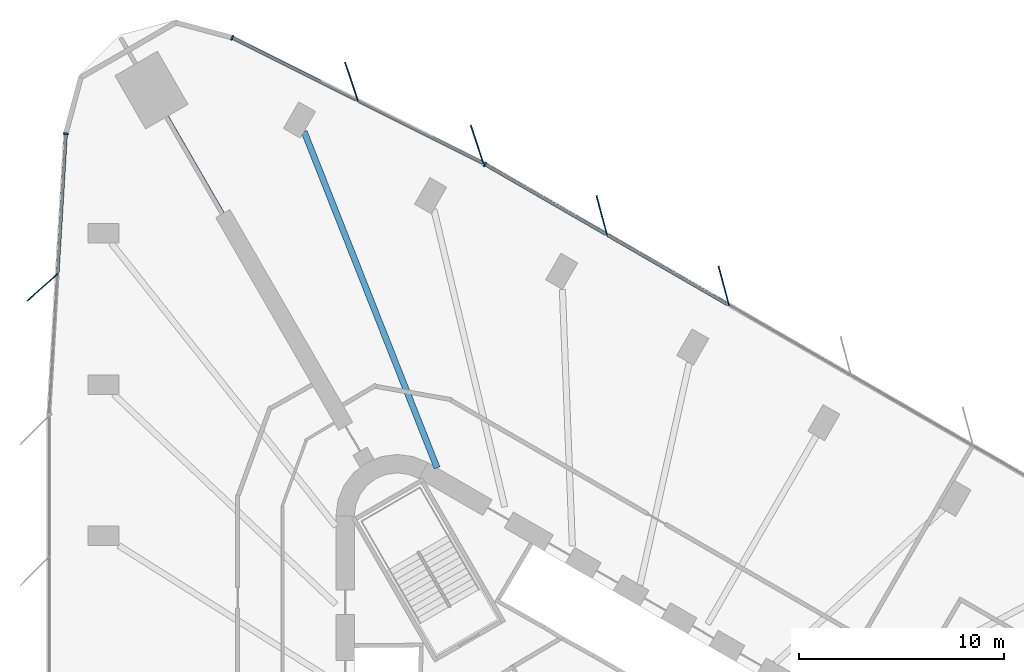
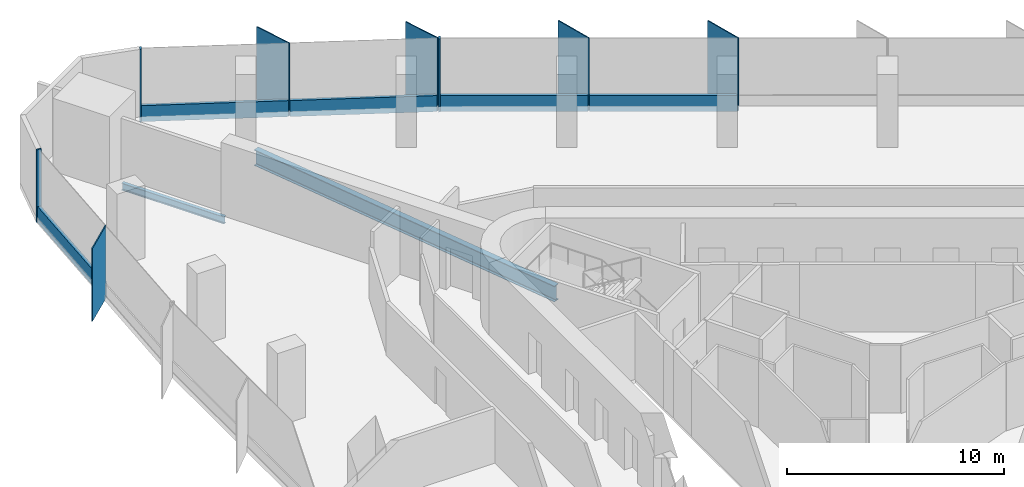
# One storey, part 7 of 14: 13 members, 2 beams, 3 elements without a shape of their own.
"""IFC4 building model written with IfcOpenShell, lengths in metres."""

from ifc_helpers import new_model, si_unit, direction, frame, origin, origin_2d, place, context, subcontext, project, spatial, rectangle, i_section, extrude, material, material_profile, profile_set, type_object, element, aggregate, save


model = new_model("IFC4")

# Units and contexts
model_context = context("Model", 3, precision=1e-05, world=origin(), true_north=direction((0.0, 1.0)))
body_context = subcontext(model_context, "Body", "Model", "MODEL_VIEW")
ifc_project = project(units=[si_unit("LENGTHUNIT", "METRE"), si_unit("AREAUNIT", "SQUARE_METRE"), si_unit("VOLUMEUNIT", "CUBIC_METRE"), si_unit("PLANEANGLEUNIT", "RADIAN"), si_unit("MASSUNIT", "GRAM", prefix="KILO")], contexts=[model_context])

# Site, building, storey
site_placement = place(None, origin())
site = spatial("IfcSite", under=ifc_project, at=site_placement, CompositionType="ELEMENT")
building_placement = place(site_placement, origin())
building = spatial("IfcBuilding", under=site, at=building_placement, Name="Tanit Gate Tower", CompositionType="ELEMENT")
storey_placement = place(building_placement, frame((0.0, 0.0, 53.699951171875)))
storey = spatial("IfcBuildingStorey", under=building, at=storey_placement, Name="L09", CompositionType="ELEMENT", Elevation=53.699951171875)

# Curtain wall, members
ifc_material_1 = material(Name="Aluminium bronze anodised and glass", Category="aluminium")
curtain_wall_type = type_object("IfcCurtainWallType", Name="Curtain wall typical low", PredefinedType="NOTDEFINED", material=ifc_material_1)
curtain_wall_1_placement = place(storey_placement, origin())
curtain_wall_1 = element("IfcCurtainWall", 1, at=curtain_wall_1_placement, inside=storey, type_object=curtain_wall_type, Name="Curtain wall L09 NE2", PredefinedType="NOTDEFINED")
ifc_material_2 = material(Name="Aluminium bronze anodised", Category="aluminium")
ifc_material_profile_1 = material_profile(ifc_material_2, rectangle(XDim=2.0, YDim=0.055908203125, at=origin_2d()), Name="56x2000 bronze fin mullion")
ifc_profile_set_1 = profile_set([ifc_material_profile_1], Name="Aluminium bronze anodised")
member_type_1 = type_object("IfcMemberType", Name="FIN MULLION 56x2000 bronze", PredefinedType="MULLION", material=ifc_profile_set_1)
member_1_placement = place(storey_placement, frame((6.841064453125, 26.9951171875, -0.300048828125), z_axis=(0.0, 0.0, 1.0), x_axis=(0.258886020591, -0.965907877772, 0.0)))
member_1 = element("IfcMember", 2, at=member_1_placement, type_object=member_type_1, Name="Fin mullion L09 NE2.5", PredefinedType="MULLION", context=body_context, shape_type="SweptSolid", body=[
    extrude(rectangle(XDim=2.0, YDim=0.055908203125, at=origin_2d()), origin(), (0.0, 0.0, 1.0), 4.10009765625),
])
member_2_placement = place(storey_placement, frame((0.881103515625, 30.435546875, -0.300048828125), z_axis=(0.0, 0.0, 1.0), x_axis=(0.258886020591, -0.965907877772, 0.0)))
member_2 = element("IfcMember", 3, at=member_2_placement, type_object=member_type_1, Name="Fin mullion L09 NE2.6", PredefinedType="MULLION", context=body_context, shape_type="SweptSolid", body=[
    extrude(rectangle(XDim=2.0, YDim=0.055908203125, at=origin_2d()), origin(), (0.0, 0.0, 1.0), 4.10009765625),
])

curtain_wall_2_placement = place(storey_placement, origin())
curtain_wall_2 = element("IfcCurtainWall", 4, at=curtain_wall_2_placement, inside=storey, type_object=curtain_wall_type, Name="Curtain wall L09 NE3", PredefinedType="NOTDEFINED")
member_3_placement = place(storey_placement, frame((-5.205078125, 33.897216796875, -0.300048828125), z_axis=(0.0, 0.0, 1.0), x_axis=(0.315932535729, -0.94878165711, 0.0)))
member_3 = element("IfcMember", 5, at=member_3_placement, type_object=member_type_1, Name="Fin mullion L09 NE3.1", PredefinedType="MULLION", context=body_context, shape_type="SweptSolid", body=[
    extrude(rectangle(XDim=2.0, YDim=0.055908203125, at=origin_2d()), origin(), (0.0, 0.0, 1.0), 4.10009765625),
])
member_4_placement = place(storey_placement, frame((-11.340576171875, 36.96728515625, -0.300048828125), z_axis=(0.0, 0.0, 1.0), x_axis=(0.315932535729, -0.94878165711, 0.0)))
member_4 = element("IfcMember", 6, at=member_4_placement, type_object=member_type_1, Name="Fin mullion L09 NE3.2", PredefinedType="MULLION", context=body_context, shape_type="SweptSolid", body=[
    extrude(rectangle(XDim=2.0, YDim=0.055908203125, at=origin_2d()), origin(), (0.0, 0.0, 1.0), 4.10009765625),
])

# Curtain wall, member
curtain_wall_3_placement = place(storey_placement, origin())
curtain_wall_3 = element("IfcCurtainWall", 7, at=curtain_wall_3_placement, inside=storey, type_object=curtain_wall_type, Name="Curtain wall L09 W1", PredefinedType="NOTDEFINED")
member_5_placement = place(storey_placement, frame((-26.42822265625, 26.925048828125, -0.300048828125), z_axis=(0.0, 0.0, 1.0), x_axis=(0.748133983092, 0.663547694852, 0.0)))
member_5 = element("IfcMember", 8, at=member_5_placement, type_object=member_type_1, Name="Fin mullion L09 W1.2", PredefinedType="MULLION", context=body_context, shape_type="SweptSolid", body=[
    extrude(rectangle(XDim=2.0, YDim=0.055908203125, at=origin_2d()), origin(), (0.0, 0.0, 1.0), 4.10009765625),
])

# Member
ifc_material_3 = material(Name="Aluminium bronze anodised", Category="aluminium")
ifc_material_profile_2 = material_profile(ifc_material_3, rectangle(XDim=0.239990234375, YDim=0.080078125, at=origin_2d()), Name="80x240 bronze mullion")
ifc_profile_set_2 = profile_set([ifc_material_profile_2], Name="Aluminium bronze anodised")
member_type_2 = type_object("IfcMemberType", Name="Mullion 80x240 typical low", PredefinedType="MULLION", material=ifc_profile_set_2)
member_6_placement = place(storey_placement, frame((-4.825927734375, 32.931884765625, -0.300048828125), z_axis=(0.0, 0.0, 1.0), x_axis=(-0.49993994966, -0.866060071089, 0.0)))
member_6 = element("IfcMember", 9, at=member_6_placement, type_object=member_type_2, Name="Mullion L09 NE2.7", PredefinedType="MULLION", context=body_context, shape_type="SweptSolid", body=[
    extrude(rectangle(XDim=0.239990234375, YDim=0.080078125, at=origin_2d()), origin(), (0.0, 0.0, 1.0), 4.10009765625),
])

member_7_placement = place(storey_placement, frame((-17.167236328125, 39.110107421875, -0.300048828125), z_axis=(0.0, 0.0, 1.0), x_axis=(-0.447491905196, -0.894287982019, 0.0)))
member_7 = element("IfcMember", 10, at=member_7_placement, type_object=member_type_2, Name="Mullion L09 NE3.3", PredefinedType="MULLION", context=body_context, shape_type="SweptSolid", body=[
    extrude(rectangle(XDim=0.239990234375, YDim=0.080078125, at=origin_2d()), origin(), (0.0, 0.0, 1.0), 4.10009765625),
])

member_8_placement = place(storey_placement, frame((-25.286865234375, 34.422119140625, -0.300048828125), z_axis=(0.0, 0.0, 1.0), x_axis=(0.998209687351, -0.059811538009, 0.0)))
member_8 = element("IfcMember", 11, at=member_8_placement, type_object=member_type_2, Name="Mullion L09 W1.1", PredefinedType="MULLION", context=body_context, shape_type="SweptSolid", body=[
    extrude(rectangle(XDim=0.239990234375, YDim=0.080078125, at=origin_2d()), origin(), (0.0, 0.0, 1.0), 4.10009765625),
])

# Beams
ifc_material_4 = material(Name="Steel S355", Category="steel")
ifc_material_profile_3 = material_profile(ifc_material_4, i_section(OverallWidth=0.300048828125, OverallDepth=0.889892578125, WebThickness=0.01611328125, FlangeThickness=0.030029296875, FilletRadius=0.030029296875, at=origin_2d()), Name="HEA 900")
ifc_profile_set_3 = profile_set([ifc_material_profile_3], Name="Steel S355")
beam_type_1 = type_object("IfcBeamType", Name="RADIAL GIRDER HEA 900 S355", PredefinedType="BEAM", material=ifc_profile_set_3)
beam_1_placement = place(storey_placement, frame((-13.655029296875, 34.5302734375, -0.744873046875), z_axis=(0.36773841244, -0.929929276889, 0.0), x_axis=(0.929929276889, 0.36773841244, 0.0)))
element("IfcBeam", 12, at=beam_1_placement, inside=storey, type_object=beam_type_1, Name="RADIAL GIRDER", PredefinedType="BEAM", context=body_context, shape_type="SweptSolid", body=[
    extrude(i_section(OverallWidth=0.300048828125, OverallDepth=0.889892578125, WebThickness=0.01611328125, FlangeThickness=0.030029296875, FilletRadius=0.030029296875, at=origin_2d()), origin(), (0.0, 0.0, 1.0), 17.658935546875),
])
ifc_material_5 = material(Name="Steel S355", Category="steel")
ifc_material_profile_4 = material_profile(ifc_material_5, i_section(OverallWidth=0.179931640625, OverallDepth=0.39990234375, WebThickness=0.008544921875, FlangeThickness=0.013427734375, FilletRadius=0.02099609375, at=origin_2d()), Name="IPE 400")
ifc_profile_set_4 = profile_set([ifc_material_profile_4], Name="Steel S355")
beam_type_2 = type_object("IfcBeamType", Name="RADIAL GIRDER IPE 400 S355", PredefinedType="BEAM", material=ifc_profile_set_4)
beam_2_placement = place(storey_placement, frame((-20.355712890625, 35.257080078125, -0.5), z_axis=(0.500017734461, -0.866015164547, 0.0), x_axis=(0.866015164547, 0.500017734461, 0.0)))
element("IfcBeam", 13, at=beam_2_placement, inside=storey, type_object=beam_type_2, Name="RADIAL GIRDER", PredefinedType="BEAM", context=body_context, shape_type="SweptSolid", body=[
    extrude(i_section(OverallWidth=0.179931640625, OverallDepth=0.39990234375, WebThickness=0.008544921875, FlangeThickness=0.013427734375, FilletRadius=0.02099609375, at=origin_2d()), origin(), (0.0, 0.0, 1.0), 5.463134765625),
])

# Member
ifc_material_6 = material(Name="Aluminium bronze anodised", Category="aluminium")
ifc_material_profile_5 = material_profile(ifc_material_6, rectangle(XDim=0.159912109375, YDim=0.89990234375, at=origin_2d()), Name="160x900 bronze transom")
ifc_profile_set_5 = profile_set([ifc_material_profile_5], Name="Aluminium bronze anodised")
member_type_3 = type_object("IfcMemberType", Name="Transom 160x900 typical low", PredefinedType="USERDEFINED", material=ifc_profile_set_5)
member_9_placement = place(storey_placement, frame((7.0595703125, 26.071044921875, 0.150146484375), z_axis=(-0.866070234236, 0.49992234334, 0.0), x_axis=(-0.49992234334, -0.866070234236, 0.0)))
member_9 = element("IfcMember", 14, at=member_9_placement, type_object=member_type_3, Name="Transom L09 NE2.5", ObjectType="TRANSOM", PredefinedType="USERDEFINED", context=body_context, shape_type="SweptSolid", body=[
    extrude(rectangle(XDim=0.159912109375, YDim=0.89990234375, at=origin_2d()), origin(), (0.0, 0.0, 1.0), 6.8017578125),
])

member_10_placement = place(storey_placement, frame((1.099609375, 29.511474609375, 0.150146484375), z_axis=(-0.866070234236, 0.49992234334, 0.0), x_axis=(-0.49992234334, -0.866070234236, 0.0)))
member_10 = element("IfcMember", 15, at=member_10_placement, type_object=member_type_3, Name="Transom L09 NE2.6", ObjectType="TRANSOM", PredefinedType="USERDEFINED", context=body_context, shape_type="SweptSolid", body=[
    extrude(rectangle(XDim=0.159912109375, YDim=0.89990234375, at=origin_2d()), origin(), (0.0, 0.0, 1.0), 6.8017578125),
])

aggregate(curtain_wall_1, [member_1, member_2, member_6, member_9, member_10])

member_11_placement = place(storey_placement, frame((-4.93212890625, 32.98779296875, 0.150146484375), z_axis=(-0.894290324915, 0.447487223016, 0.0), x_axis=(-0.447487223016, -0.894290324915, 0.0)))
member_11 = element("IfcMember", 16, at=member_11_placement, type_object=member_type_3, Name="Transom L09 NE3.1", ObjectType="TRANSOM", PredefinedType="USERDEFINED", context=body_context, shape_type="SweptSolid", body=[
    extrude(rectangle(XDim=0.159912109375, YDim=0.89990234375, at=origin_2d()), origin(), (0.0, 0.0, 1.0), 6.780517578125),
])

member_12_placement = place(storey_placement, frame((-11.0673828125, 36.057861328125, 0.150146484375), z_axis=(-0.894297534657, 0.447472814265, 0.0), x_axis=(-0.447472814265, -0.894297534657, 0.0)))
member_12 = element("IfcMember", 17, at=member_12_placement, type_object=member_type_3, Name="Transom L09 NE3.2", ObjectType="TRANSOM", PredefinedType="USERDEFINED", context=body_context, shape_type="SweptSolid", body=[
    extrude(rectangle(XDim=0.159912109375, YDim=0.89990234375, at=origin_2d()), origin(), (0.0, 0.0, 1.0), 6.78076171875),
])

aggregate(curtain_wall_2, [member_3, member_4, member_7, member_11, member_12])

member_13_placement = place(storey_placement, frame((-25.2890625, 34.38232421875, 0.150146484375), z_axis=(-0.059838478518, -0.998208072743, 0.0), x_axis=(0.998208072743, -0.059838478518, 0.0)))
member_13 = element("IfcMember", 18, at=member_13_placement, type_object=member_type_3, Name="Transom L09 W1.1", ObjectType="TRANSOM", PredefinedType="USERDEFINED", context=body_context, shape_type="SweptSolid", body=[
    extrude(rectangle(XDim=0.159912109375, YDim=0.89990234375, at=origin_2d()), origin(), (0.0, 0.0, 1.0), 6.781005859375),
])

aggregate(curtain_wall_3, [member_8, member_5, member_13])

save(model, "model.ifc")
